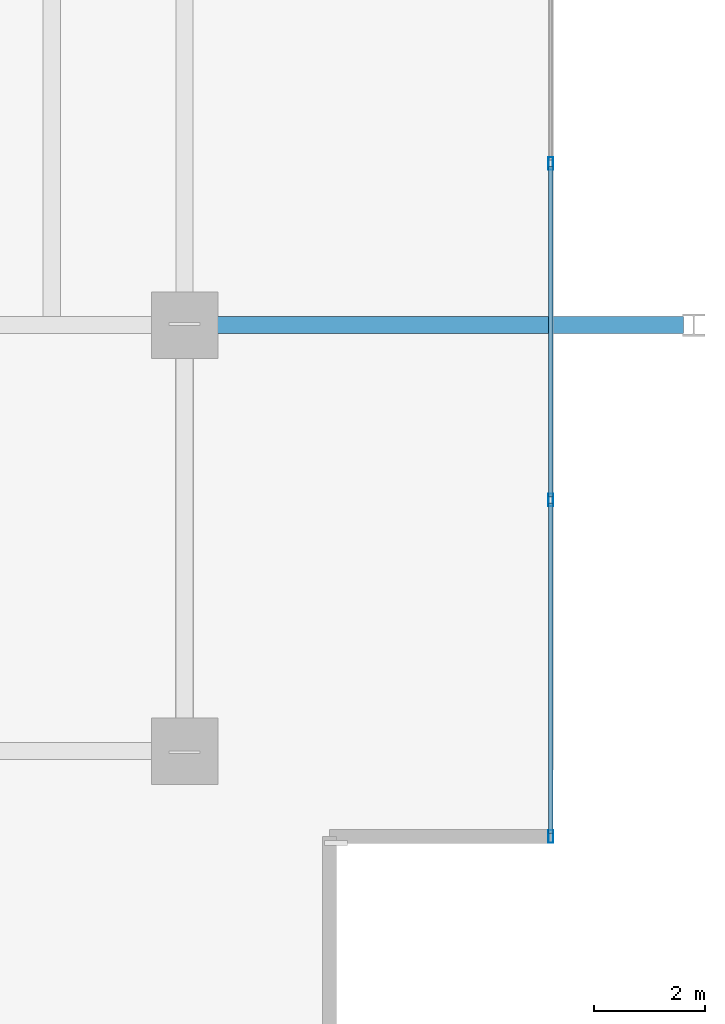
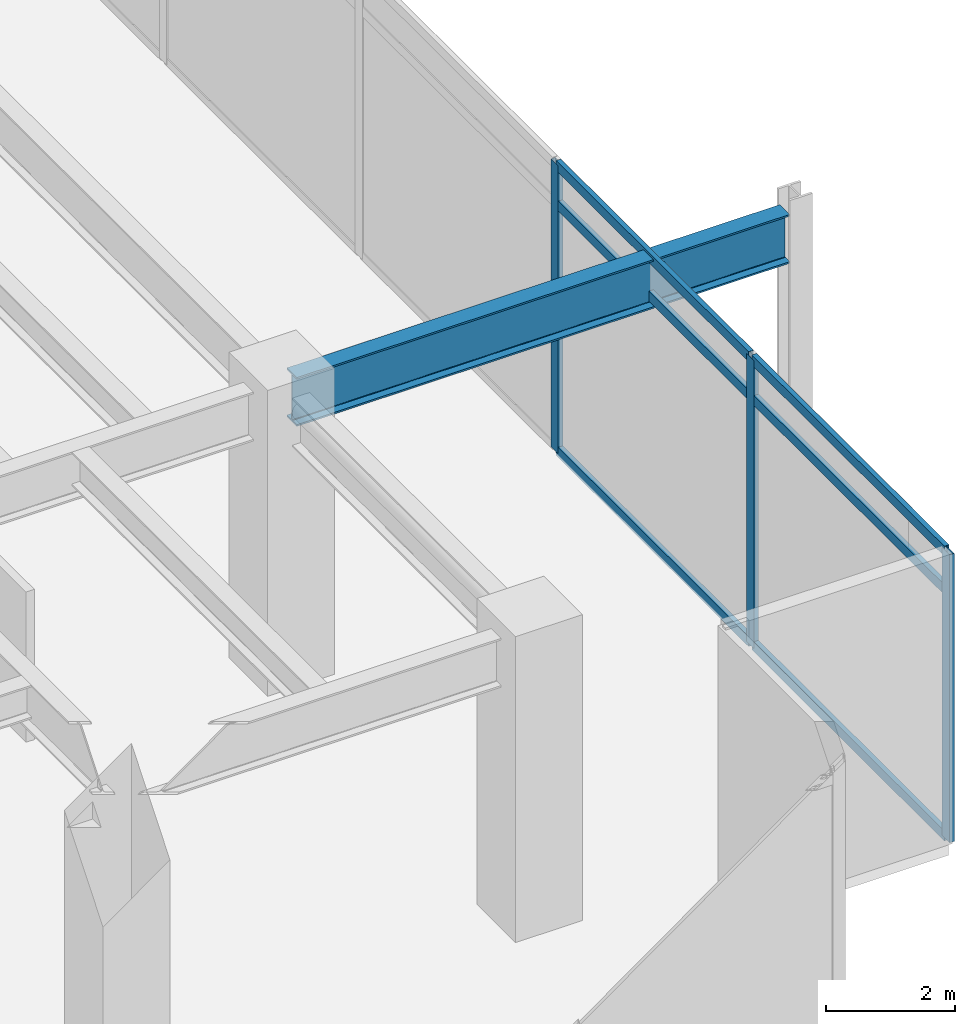
# One storey, part 10 of 25: 9 members, 1 beam, 1 element without a shape of its own.
"""IFC4 building model written with IfcOpenShell, lengths in metres."""

from ifc_helpers import new_model, si_unit, direction, frame, origin, origin_2d, place, context, subcontext, project, spatial, hollow_rectangle, i_section, extrude, material, material_profile, profile_set, type_object, element, aggregate, save


model = new_model("IFC4")

# Units and contexts
model_context = context("Model", 3, precision=1e-05, world=origin(), true_north=direction((0.0, 1.0)))
body_context = subcontext(model_context, "Body", "Model", "MODEL_VIEW")
ifc_project = project(units=[si_unit("LENGTHUNIT", "METRE"), si_unit("AREAUNIT", "SQUARE_METRE"), si_unit("VOLUMEUNIT", "CUBIC_METRE"), si_unit("PLANEANGLEUNIT", "RADIAN"), si_unit("MASSUNIT", "GRAM", prefix="KILO")], contexts=[model_context])

# Site, building, storey
site_placement = place(None, origin())
site = spatial("IfcSite", under=ifc_project, at=site_placement, CompositionType="ELEMENT")
building_placement = place(site_placement, origin())
building = spatial("IfcBuilding", under=site, at=building_placement, Name="Kovane Verandah Tower", CompositionType="ELEMENT")
storey_placement = place(building_placement, frame((0.0, 0.0, 295.199951171875)))
storey = spatial("IfcBuildingStorey", under=building, at=storey_placement, Name="L69", CompositionType="ELEMENT", Elevation=295.199951171875)

# Beam
ifc_material_1 = material(Name="Steel S460", Category="steel")
ifc_material_profile_1 = material_profile(ifc_material_1, i_section(OverallWidth=0.3076171875, OverallDepth=0.926513671875, WebThickness=0.01953125, FlangeThickness=0.031982421875, FilletRadius=0.01904296875, at=origin_2d()), Name="UB914x305x289")
ifc_profile_set_1 = profile_set([ifc_material_profile_1], Name="Steel S460")
beam_type = type_object("IfcBeamType", Name="BM-UB914x289", PredefinedType="BEAM", material=ifc_profile_set_1)
beam_placement = place(storey_placement, frame((58.580078125, 18.5, 5.036865234375), z_axis=(1.0, 0.0, 0.0), x_axis=(0.0, 1.0, 0.0)))
element("IfcBeam", 1, at=beam_placement, inside=storey, type_object=beam_type, Name="L69 Primary Tower Girder G-VE1", PredefinedType="BEAM", context=body_context, shape_type="SweptSolid", body=[
    extrude(i_section(OverallWidth=0.3076171875, OverallDepth=0.926513671875, WebThickness=0.01953125, FlangeThickness=0.031982421875, FilletRadius=0.01904296875, at=origin_2d()), origin(), (0.0, 0.0, 1.0), 8.83984375),
])

# Curtain wall, members
ifc_material_2 = material(Name="Champagne Anodised Aluminium Frame with Low-E Clear Laminated Glass", Category="aluminium")
curtain_wall_type = type_object("IfcCurtainWallType", Name="CW-SYS-05-HIGH", PredefinedType="NOTDEFINED", material=ifc_material_2)
curtain_wall_placement = place(storey_placement, origin())
curtain_wall = element("IfcCurtainWall", 2, at=curtain_wall_placement, inside=storey, type_object=curtain_wall_type, Name="L69 E Unitised Curtain Wall", PredefinedType="NOTDEFINED")
ifc_material_3 = material(Name="Champagne Anodised Aluminium 6063-T6", Category="aluminium")
ifc_material_profile_2 = material_profile(ifc_material_3, hollow_rectangle(XDim=0.0849609375, YDim=0.22998046875, WallThickness=0.00390625, at=origin_2d()), Name="AL85x230x4")
ifc_profile_set_2 = profile_set([ifc_material_profile_2], Name="Champagne Anodised Aluminium 6063-T6")
member_type_1 = type_object("IfcMemberType", Name="CW-MUL-85x230", PredefinedType="MULLION", material=ifc_profile_set_2)
member_1_placement = place(storey_placement, frame((65.017822265625, 9.25830078125, 0.02001953125), z_axis=(0.0, 0.0, 1.0), x_axis=(1.0, 0.0, 0.0)))
member_1 = element("IfcMember", 3, at=member_1_placement, type_object=member_type_1, Name="L69 E Unitised Curtain Wall Mullion 1", PredefinedType="MULLION", context=body_context, shape_type="SweptSolid", body=[
    extrude(hollow_rectangle(XDim=0.0849609375, YDim=0.22998046875, WallThickness=0.00390625, at=origin_2d()), origin(), (0.0, 0.0, 1.0), 5.4599609375),
])
member_2_placement = place(storey_placement, frame((65.017822265625, 15.3388671875, 0.02001953125), z_axis=(0.0, 0.0, 1.0), x_axis=(1.0, 0.0, 0.0)))
member_2 = element("IfcMember", 4, at=member_2_placement, type_object=member_type_1, Name="L69 E Unitised Curtain Wall Mullion 2", PredefinedType="MULLION", context=body_context, shape_type="SweptSolid", body=[
    extrude(hollow_rectangle(XDim=0.0849609375, YDim=0.22998046875, WallThickness=0.00390625, at=origin_2d()), origin(), (0.0, 0.0, 1.0), 5.4599609375),
])
member_3_placement = place(storey_placement, frame((65.017822265625, 21.41943359375, 0.02001953125), z_axis=(0.0, 0.0, 1.0), x_axis=(1.0, 0.0, 0.0)))
member_3 = element("IfcMember", 5, at=member_3_placement, type_object=member_type_1, Name="L69 E Unitised Curtain Wall Mullion 3", PredefinedType="MULLION", context=body_context, shape_type="SweptSolid", body=[
    extrude(hollow_rectangle(XDim=0.0849609375, YDim=0.22998046875, WallThickness=0.00390625, at=origin_2d()), origin(), (0.0, 0.0, 1.0), 5.4599609375),
])
ifc_material_profile_3 = material_profile(ifc_material_3, hollow_rectangle(XDim=0.0849609375, YDim=0.18994140625, WallThickness=0.00390625, at=origin_2d()), Name="AL85x190x4")
ifc_profile_set_3 = profile_set([ifc_material_profile_3], Name="Champagne Anodised Aluminium 6063-T6")
member_type_2 = type_object("IfcMemberType", Name="CW-TRN-85x190", PredefinedType="USERDEFINED", material=ifc_profile_set_3)
member_4_placement = place(storey_placement, frame((65.017822265625, 9.308349609375, 0.050048828125), z_axis=(0.0, 1.0, 0.0), x_axis=(-1.0, 0.0, 0.0)))
member_4 = element("IfcMember", 6, at=member_4_placement, type_object=member_type_2, Name="L69 E Unitised Curtain Wall Transom TB Bay 1", ObjectType="TRANSOM", PredefinedType="USERDEFINED", context=body_context, shape_type="SweptSolid", body=[
    extrude(hollow_rectangle(XDim=0.0849609375, YDim=0.18994140625, WallThickness=0.00390625, at=origin_2d()), origin(), (0.0, 0.0, 1.0), 5.98046875),
])
member_5_placement = place(storey_placement, frame((65.017822265625, 9.308349609375, 4.719970703125), z_axis=(0.0, 1.0, 0.0), x_axis=(-1.0, 0.0, 0.0)))
member_5 = element("IfcMember", 7, at=member_5_placement, type_object=member_type_2, Name="L69 E Unitised Curtain Wall Transom TM Bay 1", ObjectType="TRANSOM", PredefinedType="USERDEFINED", context=body_context, shape_type="SweptSolid", body=[
    extrude(hollow_rectangle(XDim=0.0849609375, YDim=0.18994140625, WallThickness=0.00390625, at=origin_2d()), origin(), (0.0, 0.0, 1.0), 5.98046875),
])
member_6_placement = place(storey_placement, frame((65.017822265625, 9.308349609375, 5.449951171875), z_axis=(0.0, 1.0, 0.0), x_axis=(-1.0, 0.0, 0.0)))
member_6 = element("IfcMember", 8, at=member_6_placement, type_object=member_type_2, Name="L69 E Unitised Curtain Wall Transom TT Bay 1", ObjectType="TRANSOM", PredefinedType="USERDEFINED", context=body_context, shape_type="SweptSolid", body=[
    extrude(hollow_rectangle(XDim=0.0849609375, YDim=0.18994140625, WallThickness=0.00390625, at=origin_2d()), origin(), (0.0, 0.0, 1.0), 5.98046875),
])
member_7_placement = place(storey_placement, frame((65.017822265625, 15.388916015625, 0.050048828125), z_axis=(0.0, 1.0, 0.0), x_axis=(-1.0, 0.0, 0.0)))
member_7 = element("IfcMember", 9, at=member_7_placement, type_object=member_type_2, Name="L69 E Unitised Curtain Wall Transom TB Bay 2", ObjectType="TRANSOM", PredefinedType="USERDEFINED", context=body_context, shape_type="SweptSolid", body=[
    extrude(hollow_rectangle(XDim=0.0849609375, YDim=0.18994140625, WallThickness=0.00390625, at=origin_2d()), origin(), (0.0, 0.0, 1.0), 5.98046875),
])
member_8_placement = place(storey_placement, frame((65.017822265625, 15.388916015625, 4.719970703125), z_axis=(0.0, 1.0, 0.0), x_axis=(-1.0, 0.0, 0.0)))
member_8 = element("IfcMember", 10, at=member_8_placement, type_object=member_type_2, Name="L69 E Unitised Curtain Wall Transom TM Bay 2", ObjectType="TRANSOM", PredefinedType="USERDEFINED", context=body_context, shape_type="SweptSolid", body=[
    extrude(hollow_rectangle(XDim=0.0849609375, YDim=0.18994140625, WallThickness=0.00390625, at=origin_2d()), origin(), (0.0, 0.0, 1.0), 5.98046875),
])
member_9_placement = place(storey_placement, frame((65.017822265625, 15.388916015625, 5.449951171875), z_axis=(0.0, 1.0, 0.0), x_axis=(-1.0, 0.0, 0.0)))
member_9 = element("IfcMember", 11, at=member_9_placement, type_object=member_type_2, Name="L69 E Unitised Curtain Wall Transom TT Bay 2", ObjectType="TRANSOM", PredefinedType="USERDEFINED", context=body_context, shape_type="SweptSolid", body=[
    extrude(hollow_rectangle(XDim=0.0849609375, YDim=0.18994140625, WallThickness=0.00390625, at=origin_2d()), origin(), (0.0, 0.0, 1.0), 5.98046875),
])
aggregate(curtain_wall, [member_1, member_2, member_3, member_4, member_5, member_6, member_7, member_8, member_9])

save(model, "model.ifc")
